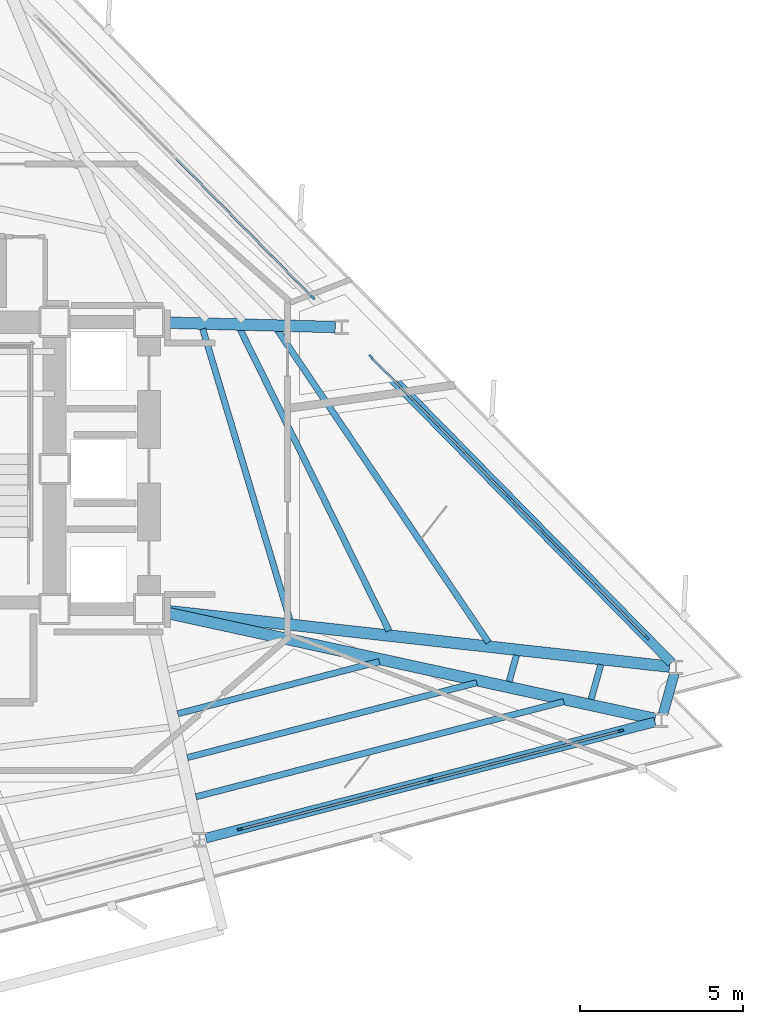
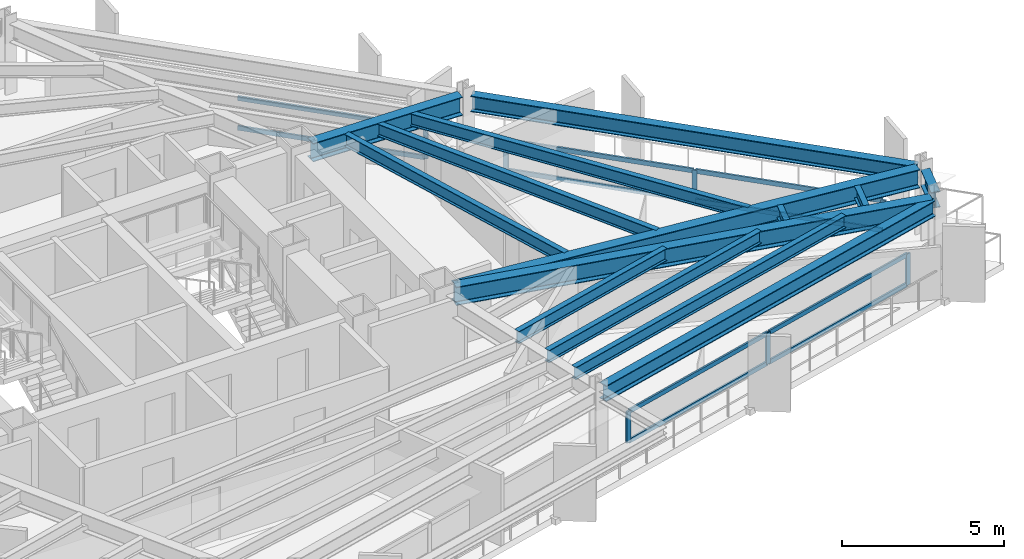
# One storey, part 4 of 11: 17 members, 14 beams, 3 elements without a shape of their own.
"""IFC4 building model written with IfcOpenShell, lengths in metres."""

from ifc_helpers import new_model, si_unit, direction, frame, origin, origin_2d, place, context, subcontext, project, spatial, rectangle, i_section, extrude, material, layer, layer_set, material_profile, profile_set, type_object, element, aggregate, save


model = new_model("IFC4")

# Units and contexts
model_context = context("Model", 3, precision=1e-05, world=origin(), true_north=direction((0.0, 1.0)))
body_context = subcontext(model_context, "Body", "Model", "MODEL_VIEW")
ifc_project = project(units=[si_unit("LENGTHUNIT", "METRE"), si_unit("AREAUNIT", "SQUARE_METRE"), si_unit("VOLUMEUNIT", "CUBIC_METRE"), si_unit("PLANEANGLEUNIT", "RADIAN"), si_unit("MASSUNIT", "GRAM", prefix="KILO")], contexts=[model_context])

# Site, building, storey
site_placement = place(None, origin())
site = spatial("IfcSite", under=ifc_project, at=site_placement, CompositionType="ELEMENT")
building_placement = place(site_placement, origin())
building = spatial("IfcBuilding", under=site, at=building_placement, Name="Rocaltana Carrier Exchange", CompositionType="ELEMENT")
storey_placement = place(building_placement, frame((0.0, 0.0, 97.760009765625)))
storey = spatial("IfcBuildingStorey", under=building, at=storey_placement, Name="L30", CompositionType="ELEMENT", Elevation=97.760009765625)

# Curtain wall, members
ifc_material_1 = material(Name="Aluminium 6063-T6", Category="aluminium")
ifc_layer = layer(ifc_material_1, 0.1650390625)
ifc_layer_set = layer_set([ifc_layer], Name="Aluminium 6063-T6")
curtain_wall_type = type_object("IfcCurtainWallType", Name="Lower-Mid Stepped Curtain Wall CW-02", PredefinedType="NOTDEFINED", material=ifc_layer_set)
curtain_wall_1_placement = place(storey_placement, origin())
curtain_wall_1 = element("IfcCurtainWall", 1, at=curtain_wall_1_placement, inside=storey, type_object=curtain_wall_type, Name="L30 CW-02 Run CW-L30-F1S1", PredefinedType="NOTDEFINED")
ifc_material_2 = material(Name="Aluminium 6063-T6", Category="aluminium")
ifc_material_profile_1 = material_profile(ifc_material_2, rectangle(XDim=0.06494140625, YDim=0.1650390625, at=origin_2d()), Name="AL-65X165")
ifc_profile_set_1 = profile_set([ifc_material_profile_1], Name="Aluminium 6063-T6")
member_type_1 = type_object("IfcMemberType", Name="CW-02 Mullion AL-65X165", PredefinedType="MULLION", material=ifc_profile_set_1)
member_1_placement = place(storey_placement, frame((24.21875, -5.1767578125, 0.0), z_axis=(0.0, 0.0, 1.0), x_axis=(-0.713244767898, -0.700915045542, 0.0)))
member_1 = element("IfcMember", 2, at=member_1_placement, type_object=member_type_1, Name="CW-02 mullion 1", PredefinedType="MULLION", context=body_context, shape_type="SweptSolid", body=[
    extrude(rectangle(XDim=0.06494140625, YDim=0.1650390625, at=origin_2d()), origin(), (0.0, 0.0, 1.0), 1.177978515625),
])
member_2_placement = place(storey_placement, frame((19.989501953125, -0.872802734375, 0.0), z_axis=(0.0, 0.0, 1.0), x_axis=(-0.713244767898, -0.700915045542, 0.0)))
member_2 = element("IfcMember", 3, at=member_2_placement, type_object=member_type_1, Name="CW-02 mullion 2", PredefinedType="MULLION", context=body_context, shape_type="SweptSolid", body=[
    extrude(rectangle(XDim=0.06494140625, YDim=0.1650390625, at=origin_2d()), origin(), (0.0, 0.0, 1.0), 1.177978515625),
])
member_3_placement = place(storey_placement, frame((15.760009765625, 3.430908203125, 0.0), z_axis=(0.0, 0.0, 1.0), x_axis=(-0.713244767898, -0.700915045542, 0.0)))
member_3 = element("IfcMember", 4, at=member_3_placement, type_object=member_type_1, Name="CW-02 mullion 3", PredefinedType="MULLION", context=body_context, shape_type="SweptSolid", body=[
    extrude(rectangle(XDim=0.06494140625, YDim=0.1650390625, at=origin_2d()), origin(), (0.0, 0.0, 1.0), 1.177978515625),
])

# Curtain wall, member
curtain_wall_2_placement = place(storey_placement, origin())
curtain_wall_2 = element("IfcCurtainWall", 5, at=curtain_wall_2_placement, inside=storey, type_object=curtain_wall_type, Name="L30 CW-02 Run CW-L30-F1S2", PredefinedType="NOTDEFINED")
member_4_placement = place(storey_placement, frame((13.962158203125, 5.260498046875, 0.0), z_axis=(0.0, 0.0, 1.0), x_axis=(-0.713244696676, -0.700915118017, 0.0)))
member_4 = element("IfcMember", 6, at=member_4_placement, type_object=member_type_1, Name="CW-02 mullion 1", PredefinedType="MULLION", context=body_context, shape_type="SweptSolid", body=[
    extrude(rectangle(XDim=0.06494140625, YDim=0.1650390625, at=origin_2d()), origin(), (0.0, 0.0, 1.0), 1.177978515625),
])

# Curtain wall, members
curtain_wall_3_placement = place(storey_placement, origin())
curtain_wall_3 = element("IfcCurtainWall", 7, at=curtain_wall_3_placement, inside=storey, type_object=curtain_wall_type, Name="L30 CW-02 Run CW-L30-F3S3", PredefinedType="NOTDEFINED")
member_5_placement = place(storey_placement, frame((11.741943359375, -11.057861328125, 0.0), z_axis=(0.0, 0.0, 1.0), x_axis=(-0.250370035526, 0.96815021836, 0.0)))
member_5 = element("IfcMember", 8, at=member_5_placement, type_object=member_type_1, Name="CW-02 mullion 1", PredefinedType="MULLION", context=body_context, shape_type="SweptSolid", body=[
    extrude(rectangle(XDim=0.06494140625, YDim=0.1650390625, at=origin_2d()), origin(), (0.0, 0.0, 1.0), 1.177978515625),
])
member_6_placement = place(storey_placement, frame((17.583740234375, -9.547119140625, 0.0), z_axis=(0.0, 0.0, 1.0), x_axis=(-0.250370035526, 0.96815021836, 0.0)))
member_6 = element("IfcMember", 9, at=member_6_placement, type_object=member_type_1, Name="CW-02 mullion 2", PredefinedType="MULLION", context=body_context, shape_type="SweptSolid", body=[
    extrude(rectangle(XDim=0.06494140625, YDim=0.1650390625, at=origin_2d()), origin(), (0.0, 0.0, 1.0), 1.177978515625),
])
member_7_placement = place(storey_placement, frame((23.42578125, -8.036376953125, 0.0), z_axis=(0.0, 0.0, 1.0), x_axis=(-0.250370035526, 0.96815021836, 0.0)))
member_7 = element("IfcMember", 10, at=member_7_placement, type_object=member_type_1, Name="CW-02 mullion 3", PredefinedType="MULLION", context=body_context, shape_type="SweptSolid", body=[
    extrude(rectangle(XDim=0.06494140625, YDim=0.1650390625, at=origin_2d()), origin(), (0.0, 0.0, 1.0), 1.177978515625),
])

# Member
ifc_material_3 = material(Name="Aluminium 6063-T6", Category="aluminium")
ifc_material_profile_2 = material_profile(ifc_material_3, rectangle(XDim=0.06494140625, YDim=0.1650390625, at=origin_2d()), Name="AL-65X165")
ifc_profile_set_2 = profile_set([ifc_material_profile_2], Name="Aluminium 6063-T6")
member_type_2 = type_object("IfcMemberType", Name="CW-02 Transom AL-65X165", PredefinedType="USERDEFINED", material=ifc_profile_set_2)
member_8_placement = place(storey_placement, frame((24.196044921875, -5.153564453125, 0.032470703125), z_axis=(-0.700903905011, 0.713255715673, 0.0), x_axis=(-0.713255715673, -0.700903905011, 0.0)))
member_8 = element("IfcMember", 11, at=member_8_placement, type_object=member_type_2, Name="CW-02 transom 1.1", ObjectType="TRANSOM", PredefinedType="USERDEFINED", context=body_context, shape_type="SweptSolid", body=[
    extrude(rectangle(XDim=0.06494140625, YDim=0.1650390625, at=origin_2d()), origin(), (0.0, 0.0, 1.0), 5.96923828125),
])

member_9_placement = place(storey_placement, frame((24.196044921875, -5.153564453125, 1.1455078125), z_axis=(-0.700903905011, 0.713255715673, 0.0), x_axis=(-0.713255715673, -0.700903905011, 0.0)))
member_9 = element("IfcMember", 12, at=member_9_placement, type_object=member_type_2, Name="CW-02 transom 1.2", ObjectType="TRANSOM", PredefinedType="USERDEFINED", context=body_context, shape_type="SweptSolid", body=[
    extrude(rectangle(XDim=0.06494140625, YDim=0.1650390625, at=origin_2d()), origin(), (0.0, 0.0, 1.0), 5.96923828125),
])

member_10_placement = place(storey_placement, frame((19.966552734375, -0.849609375, 0.032470703125), z_axis=(-0.700924352217, 0.713235621985, 0.0), x_axis=(-0.713235621985, -0.700924352217, 0.0)))
member_10 = element("IfcMember", 13, at=member_10_placement, type_object=member_type_2, Name="CW-02 transom 2.1", ObjectType="TRANSOM", PredefinedType="USERDEFINED", context=body_context, shape_type="SweptSolid", body=[
    extrude(rectangle(XDim=0.06494140625, YDim=0.1650390625, at=origin_2d()), origin(), (0.0, 0.0, 1.0), 5.968994140625),
])

member_11_placement = place(storey_placement, frame((19.966552734375, -0.849609375, 1.1455078125), z_axis=(-0.700924352217, 0.713235621985, 0.0), x_axis=(-0.713235621985, -0.700924352217, 0.0)))
member_11 = element("IfcMember", 14, at=member_11_placement, type_object=member_type_2, Name="CW-02 transom 2.2", ObjectType="TRANSOM", PredefinedType="USERDEFINED", context=body_context, shape_type="SweptSolid", body=[
    extrude(rectangle(XDim=0.06494140625, YDim=0.1650390625, at=origin_2d()), origin(), (0.0, 0.0, 1.0), 5.968994140625),
])

aggregate(curtain_wall_1, [member_1, member_2, member_3, member_8, member_9, member_10, member_11])

member_12_placement = place(storey_placement, frame((13.939453125, 5.28369140625, 0.032470703125), z_axis=(-0.700903905011, 0.713255715673, 0.0), x_axis=(-0.713255715673, -0.700903905011, 0.0)))
member_12 = element("IfcMember", 15, at=member_12_placement, type_object=member_type_2, Name="CW-02 transom 1.1", ObjectType="TRANSOM", PredefinedType="USERDEFINED", context=body_context, shape_type="SweptSolid", body=[
    extrude(rectangle(XDim=0.06494140625, YDim=0.1650390625, at=origin_2d()), origin(), (0.0, 0.0, 1.0), 5.96923828125),
])

member_13_placement = place(storey_placement, frame((13.939453125, 5.28369140625, 1.1455078125), z_axis=(-0.700903905011, 0.713255715673, 0.0), x_axis=(-0.713255715673, -0.700903905011, 0.0)))
member_13 = element("IfcMember", 16, at=member_13_placement, type_object=member_type_2, Name="CW-02 transom 1.2", ObjectType="TRANSOM", PredefinedType="USERDEFINED", context=body_context, shape_type="SweptSolid", body=[
    extrude(rectangle(XDim=0.06494140625, YDim=0.1650390625, at=origin_2d()), origin(), (0.0, 0.0, 1.0), 5.96923828125),
])

aggregate(curtain_wall_2, [member_4, member_12, member_13])

member_14_placement = place(storey_placement, frame((11.7734375, -11.0498046875, 0.032470703125), z_axis=(0.968142466864, 0.250400007695, 0.0), x_axis=(-0.250400007695, 0.968142466864, 0.0)))
member_14 = element("IfcMember", 17, at=member_14_placement, type_object=member_type_2, Name="CW-02 transom 1.1", ObjectType="TRANSOM", PredefinedType="USERDEFINED", context=body_context, shape_type="SweptSolid", body=[
    extrude(rectangle(XDim=0.06494140625, YDim=0.1650390625, at=origin_2d()), origin(), (0.0, 0.0, 1.0), 5.968994140625),
])

member_15_placement = place(storey_placement, frame((11.7734375, -11.0498046875, 1.1455078125), z_axis=(0.968142466864, 0.250400007695, 0.0), x_axis=(-0.250400007695, 0.968142466864, 0.0)))
member_15 = element("IfcMember", 18, at=member_15_placement, type_object=member_type_2, Name="CW-02 transom 1.2", ObjectType="TRANSOM", PredefinedType="USERDEFINED", context=body_context, shape_type="SweptSolid", body=[
    extrude(rectangle(XDim=0.06494140625, YDim=0.1650390625, at=origin_2d()), origin(), (0.0, 0.0, 1.0), 5.968994140625),
])

member_16_placement = place(storey_placement, frame((17.615234375, -9.5390625, 0.032470703125), z_axis=(0.968145031253, 0.250390092575, 0.0), x_axis=(-0.250390092575, 0.968145031253, 0.0)))
member_16 = element("IfcMember", 19, at=member_16_placement, type_object=member_type_2, Name="CW-02 transom 2.1", ObjectType="TRANSOM", PredefinedType="USERDEFINED", context=body_context, shape_type="SweptSolid", body=[
    extrude(rectangle(XDim=0.06494140625, YDim=0.1650390625, at=origin_2d()), origin(), (0.0, 0.0, 1.0), 5.96923828125),
])

member_17_placement = place(storey_placement, frame((17.615234375, -9.5390625, 1.1455078125), z_axis=(0.968145031253, 0.250390092575, 0.0), x_axis=(-0.250390092575, 0.968145031253, 0.0)))
member_17 = element("IfcMember", 20, at=member_17_placement, type_object=member_type_2, Name="CW-02 transom 2.2", ObjectType="TRANSOM", PredefinedType="USERDEFINED", context=body_context, shape_type="SweptSolid", body=[
    extrude(rectangle(XDim=0.06494140625, YDim=0.1650390625, at=origin_2d()), origin(), (0.0, 0.0, 1.0), 5.96923828125),
])

aggregate(curtain_wall_3, [member_5, member_6, member_7, member_14, member_15, member_16, member_17])

# Beams
ifc_material_4 = material(Name="Steel S355", Category="steel")
ifc_material_profile_3 = material_profile(ifc_material_4, i_section(OverallWidth=0.193115234375, OverallDepth=0.466064453125, WebThickness=0.011474609375, FlangeThickness=0.01904296875, FilletRadius=0.013916015625, at=origin_2d()), Name="W18X65")
ifc_profile_set_3 = profile_set([ifc_material_profile_3], Name="Steel S355")
beam_type_1 = type_object("IfcBeamType", Name="Floor Joist W18X65", PredefinedType="JOIST", material=ifc_profile_set_3)
beam_1_placement = place(storey_placement, frame((13.26611328125, -4.619384765625, 2.485107421875), z_axis=(-0.287034949518, 0.95792011032, 0.0), x_axis=(-0.95792011032, -0.287034949518, 0.0)))
element("IfcBeam", 21, at=beam_1_placement, inside=storey, type_object=beam_type_1, Name="FJ-L30-01-1", PredefinedType="JOIST", context=body_context, shape_type="SweptSolid", body=[
    extrude(i_section(OverallWidth=0.193115234375, OverallDepth=0.466064453125, WebThickness=0.011474609375, FlangeThickness=0.01904296875, FilletRadius=0.013916015625, at=origin_2d()), origin(), (0.0, 0.0, 1.0), 9.30517578125),
])
beam_2_placement = place(storey_placement, frame((16.311279296875, -4.97021484375, 2.485107421875), z_axis=(-0.442813915887, 0.89661353765, 0.0), x_axis=(-0.89661353765, -0.442813915887, 0.0)))
element("IfcBeam", 22, at=beam_2_placement, inside=storey, type_object=beam_type_1, Name="FJ-L30-01-2", PredefinedType="JOIST", context=body_context, shape_type="SweptSolid", body=[
    extrude(i_section(OverallWidth=0.193115234375, OverallDepth=0.466064453125, WebThickness=0.011474609375, FlangeThickness=0.01904296875, FilletRadius=0.013916015625, at=origin_2d()), origin(), (0.0, 0.0, 1.0), 10.311767578125),
])
beam_3_placement = place(storey_placement, frame((19.363037109375, -5.322509765625, 2.485107421875), z_axis=(-0.55996593104, 0.828515634177, 0.0), x_axis=(-0.828515634177, -0.55996593104, 0.0)))
element("IfcBeam", 23, at=beam_3_placement, inside=storey, type_object=beam_type_1, Name="FJ-L30-01-3", PredefinedType="JOIST", context=body_context, shape_type="SweptSolid", body=[
    extrude(i_section(OverallWidth=0.193115234375, OverallDepth=0.466064453125, WebThickness=0.011474609375, FlangeThickness=0.01904296875, FilletRadius=0.013916015625, at=origin_2d()), origin(), (0.0, 0.0, 1.0), 11.56298828125),
])
beam_4_placement = place(storey_placement, frame((9.8291015625, -7.513427734375, 2.485107421875), z_axis=(0.968143557315, 0.250395791558, 0.0), x_axis=(-0.250395791558, 0.968143557315, 0.0)))
element("IfcBeam", 24, at=beam_4_placement, inside=storey, type_object=beam_type_1, Name="FJ-L30-11-2", PredefinedType="JOIST", context=body_context, shape_type="SweptSolid", body=[
    extrude(i_section(OverallWidth=0.193115234375, OverallDepth=0.466064453125, WebThickness=0.011474609375, FlangeThickness=0.01904296875, FilletRadius=0.013916015625, at=origin_2d()), origin(), (0.0, 0.0, 1.0), 6.388427734375),
])
beam_5_placement = place(storey_placement, frame((10.123779296875, -8.8583984375, 2.485107421875), z_axis=(0.968146466447, 0.250384543264, 0.0), x_axis=(-0.250384543264, 0.968146466447, 0.0)))
element("IfcBeam", 25, at=beam_5_placement, inside=storey, type_object=beam_type_1, Name="FJ-L30-11-3", PredefinedType="JOIST", context=body_context, shape_type="SweptSolid", body=[
    extrude(i_section(OverallWidth=0.193115234375, OverallDepth=0.466064453125, WebThickness=0.011474609375, FlangeThickness=0.01904296875, FilletRadius=0.013916015625, at=origin_2d()), origin(), (0.0, 0.0, 1.0), 9.16845703125),
])
beam_6_placement = place(storey_placement, frame((10.38720703125, -10.061767578125, 2.485107421875), z_axis=(0.968148049608, 0.250378421674, 0.0), x_axis=(-0.250378421674, 0.968148049608, 0.0)))
element("IfcBeam", 26, at=beam_6_placement, inside=storey, type_object=beam_type_1, Name="FJ-L30-11-4", PredefinedType="JOIST", context=body_context, shape_type="SweptSolid", body=[
    extrude(i_section(OverallWidth=0.193115234375, OverallDepth=0.466064453125, WebThickness=0.011474609375, FlangeThickness=0.01904296875, FilletRadius=0.013916015625, at=origin_2d()), origin(), (0.0, 0.0, 1.0), 11.65625),
])
beam_7_placement = place(storey_placement, frame((19.998046875, -6.525390625, 2.485107421875), z_axis=(0.267312721501, 0.96360983231, 0.0), x_axis=(-0.96360983231, 0.267312721501, 0.0)))
element("IfcBeam", 27, at=beam_7_placement, inside=storey, type_object=beam_type_1, Name="FJ-L30-12-3", PredefinedType="JOIST", context=body_context, shape_type="SweptSolid", body=[
    extrude(i_section(OverallWidth=0.193115234375, OverallDepth=0.466064453125, WebThickness=0.011474609375, FlangeThickness=0.01904296875, FilletRadius=0.013916015625, at=origin_2d()), origin(), (0.0, 0.0, 1.0), 0.836669921875),
])
beam_8_placement = place(storey_placement, frame((22.5126953125, -7.07177734375, 2.485107421875), z_axis=(0.267336435307, 0.963603253605, 0.0), x_axis=(-0.963603253605, 0.267336435307, 0.0)))
element("IfcBeam", 28, at=beam_8_placement, inside=storey, type_object=beam_type_1, Name="FJ-L30-12-4", PredefinedType="JOIST", context=body_context, shape_type="SweptSolid", body=[
    extrude(i_section(OverallWidth=0.193115234375, OverallDepth=0.466064453125, WebThickness=0.011474609375, FlangeThickness=0.01904296875, FilletRadius=0.013916015625, at=origin_2d()), origin(), (0.0, 0.0, 1.0), 1.10595703125),
])
ifc_material_5 = material(Name="Steel S355", Category="steel")
ifc_material_profile_4 = material_profile(ifc_material_5, i_section(OverallWidth=0.35498046875, OverallDepth=0.695068359375, WebThickness=0.015380859375, FlangeThickness=0.02490234375, FilletRadius=0.01806640625, at=origin_2d()), Name="W27X146")
ifc_profile_set_4 = profile_set([ifc_material_profile_4], Name="Steel S355")
beam_type_2 = type_object("IfcBeamType", Name="Radial Girder W27X146", PredefinedType="BEAM", material=ifc_profile_set_4)
beam_9_placement = place(storey_placement, frame((9.414306640625, -4.351318359375, 2.37060546875), z_axis=(0.993916704851, -0.110134389809, 0.0), x_axis=(0.110134389809, 0.993916704851, 0.0)))
element("IfcBeam", 29, at=beam_9_placement, inside=storey, type_object=beam_type_2, Name="RG-L30-01", PredefinedType="BEAM", context=body_context, shape_type="SweptSolid", body=[
    extrude(i_section(OverallWidth=0.35498046875, OverallDepth=0.695068359375, WebThickness=0.015380859375, FlangeThickness=0.02490234375, FilletRadius=0.01806640625, at=origin_2d()), origin(), (0.0, 0.0, 1.0), 15.6015625),
])
beam_10_placement = place(storey_placement, frame((9.416748046875, 4.48779296875, 2.37060546875), z_axis=(0.99965940255, -0.026097488242, 0.0), x_axis=(0.026097488242, 0.99965940255, 0.0)))
element("IfcBeam", 30, at=beam_10_placement, inside=storey, type_object=beam_type_2, Name="RG-L30-02", PredefinedType="BEAM", context=body_context, shape_type="SweptSolid", body=[
    extrude(i_section(OverallWidth=0.35498046875, OverallDepth=0.695068359375, WebThickness=0.015380859375, FlangeThickness=0.02490234375, FilletRadius=0.01806640625, at=origin_2d()), origin(), (0.0, 0.0, 1.0), 5.248046875),
])
beam_11_placement = place(storey_placement, frame((9.406494140625, -4.399169921875, 2.37060546875), z_axis=(0.977197794576, -0.212331039362, 0.0), x_axis=(0.212331039362, 0.977197794576, 0.0)))
element("IfcBeam", 31, at=beam_11_placement, inside=storey, type_object=beam_type_2, Name="RG-L30-12", PredefinedType="BEAM", context=body_context, shape_type="SweptSolid", body=[
    extrude(i_section(OverallWidth=0.35498046875, OverallDepth=0.695068359375, WebThickness=0.015380859375, FlangeThickness=0.02490234375, FilletRadius=0.01806640625, at=origin_2d()), origin(), (0.0, 0.0, 1.0), 15.4189453125),
])
ifc_material_6 = material(Name="Steel S355", Category="steel")
ifc_material_profile_5 = material_profile(ifc_material_6, i_section(OverallWidth=0.300048828125, OverallDepth=0.60009765625, WebThickness=0.015380859375, FlangeThickness=0.030029296875, FilletRadius=0.027099609375, at=origin_2d()), Name="HEB600")
ifc_profile_set_5 = profile_set([ifc_material_profile_5], Name="Steel S355")
beam_type_3 = type_object("IfcBeamType", Name="Spandrel Edge Beam HEB600", PredefinedType="SPANDREL", material=ifc_profile_set_5)
beam_12_placement = place(storey_placement, frame((24.97900390625, -5.9501953125, 2.41796875), z_axis=(-0.700906560302, 0.713253106356, 0.0), x_axis=(-0.713253106356, -0.700906560302, 0.0)))
element("IfcBeam", 32, at=beam_12_placement, inside=storey, type_object=beam_type_3, Name="SP-L30-01", PredefinedType="SPANDREL", context=body_context, shape_type="SweptSolid", body=[
    extrude(i_section(OverallWidth=0.300048828125, OverallDepth=0.60009765625, WebThickness=0.015380859375, FlangeThickness=0.030029296875, FilletRadius=0.027099609375, at=origin_2d()), origin(), (0.0, 0.0, 1.0), 14.2373046875),
])
beam_13_placement = place(storey_placement, frame((10.69189453125, -11.329345703125, 2.41796875), z_axis=(0.968151928299, 0.250363423309, 0.0), x_axis=(-0.250363423309, 0.968151928299, 0.0)))
element("IfcBeam", 33, at=beam_13_placement, inside=storey, type_object=beam_type_3, Name="SP-L30-11", PredefinedType="SPANDREL", context=body_context, shape_type="SweptSolid", body=[
    extrude(i_section(OverallWidth=0.300048828125, OverallDepth=0.60009765625, WebThickness=0.015380859375, FlangeThickness=0.030029296875, FilletRadius=0.027099609375, at=origin_2d()), origin(), (0.0, 0.0, 1.0), 14.237060546875),
])
beam_14_placement = place(storey_placement, frame((24.72021484375, -7.5244140625, 2.41796875), z_axis=(0.267233578385, 0.963631783714, 0.0), x_axis=(-0.963631783714, 0.267233578385, 0.0)))
element("IfcBeam", 34, at=beam_14_placement, inside=storey, type_object=beam_type_3, Name="SP-L30-12", PredefinedType="SPANDREL", context=body_context, shape_type="SweptSolid", body=[
    extrude(i_section(OverallWidth=0.300048828125, OverallDepth=0.60009765625, WebThickness=0.015380859375, FlangeThickness=0.030029296875, FilletRadius=0.027099609375, at=origin_2d()), origin(), (0.0, 0.0, 1.0), 1.2890625),
])

save(model, "model.ifc")
